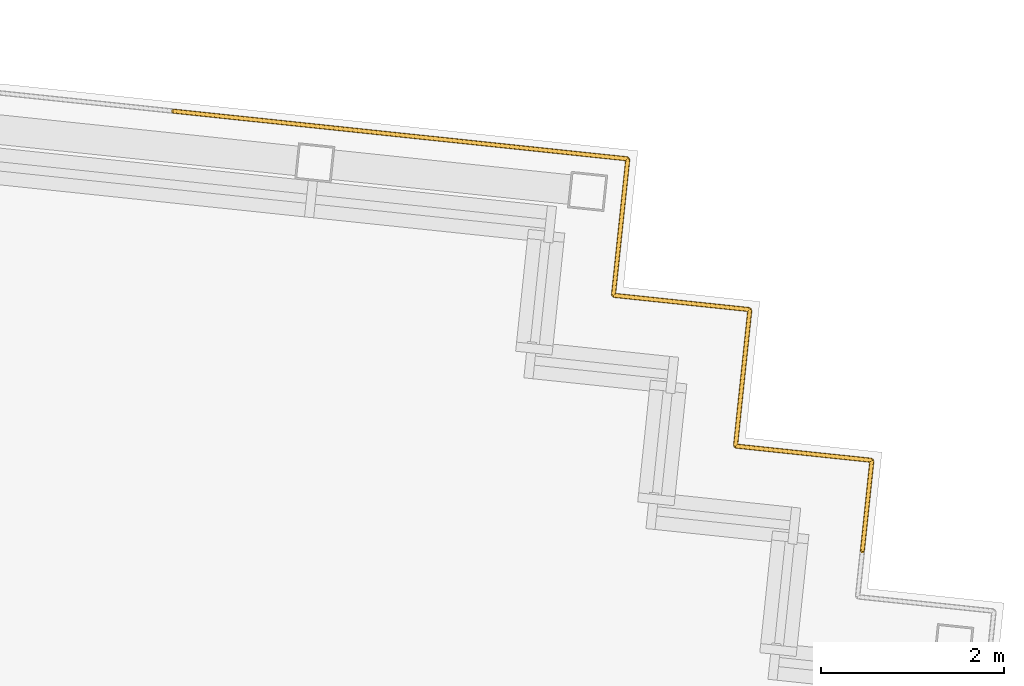
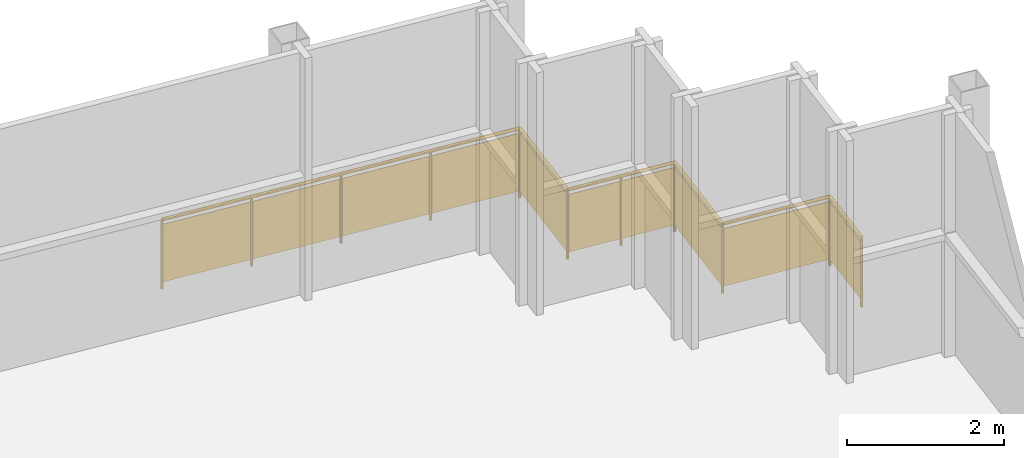
# One storey, part 13 of 13: 1 railing.
"""IFC4 building model written with IfcOpenShell, lengths in metres."""

import ifcopenshell
import ifcopenshell.guid

model = None  # the IFC model being written
_history = None  # IfcOwnerHistory: only IFC2X3 demands one
_inside = {}  # id of a spatial element -> (the spatial element, [elements in it])
_under = {}  # id of a project, library or spatial element -> (it, [spatial elements below it])
_declared = {}  # id of a project -> (the project, [libraries it declares])
_typed = {}  # id of a type object -> (the type object, [elements of that type])
_made_of = {}  # id of a material, layer set ... -> (it, [elements and type objects made of it])


def new_model(schema):
    """Start an empty IFC model of exactly this schema.

    Asked for "IFC4X3", IfcOpenShell would pick the latest addendum, in which some entities
    have other attributes; the version numbers below select the first issue.
    IFC2X3 requires an IfcOwnerHistory on every rooted entity: one is made here for all.
    """
    global model, _history
    if schema == "IFC4X3":
        model = ifcopenshell.file(schema_version=(4, 3, 0, 0))
    else:
        model = ifcopenshell.file(schema=schema)
    _inside.clear()
    _under.clear()
    _declared.clear()
    _typed.clear()
    _made_of.clear()
    _history = None
    if model.schema == "IFC2X3":
        org = make("IfcOrganization", Name="unknown")
        user = make(
            "IfcPersonAndOrganization",
            ThePerson=make("IfcPerson", FamilyName="unknown"),
            TheOrganization=org,
        )
        app = make(
            "IfcApplication",
            ApplicationDeveloper=org,
            Version="unknown",
            ApplicationFullName="unknown",
            ApplicationIdentifier="unknown",
        )
        _history = make(
            "IfcOwnerHistory",
            OwningUser=user,
            OwningApplication=app,
            ChangeAction="ADDED",
            CreationDate=0,
        )
    return model


def make(cls, **values):
    """One entity of the class cls with the attributes given. An attribute that is None is left unset."""
    return model.create_entity(
        cls, **{name: value for name, value in values.items() if value is not None}
    )


def rooted(cls, **values):
    """An entity with a GlobalId (a new one), such as an element, a storey or a relation."""
    return make(cls, GlobalId=ifcopenshell.guid.new(), OwnerHistory=_history, **values)


def si_unit(unit_type, name, prefix=None):
    """IfcSIUnit, for example si_unit("LENGTHUNIT", "METRE", prefix="MILLI")."""
    return make("IfcSIUnit", UnitType=unit_type, Prefix=prefix, Name=name)


def assignment(units):
    """IfcUnitAssignment: the units of a project."""
    return None if units is None else make("IfcUnitAssignment", Units=units)


def point(xyz):
    """IfcCartesianPoint."""
    return None if xyz is None else make("IfcCartesianPoint", Coordinates=xyz)


def direction(xyz):
    """IfcDirection."""
    return None if xyz is None else make("IfcDirection", DirectionRatios=xyz)


def frame(location, z_axis=None, x_axis=None):
    """IfcAxis2Placement3D, a coordinate frame: its origin and axes. An axis left out is left unset."""
    return make(
        "IfcAxis2Placement3D",
        Location=point(location),
        Axis=direction(z_axis),
        RefDirection=direction(x_axis),
    )


def frame_2d(location, x_axis=None):
    """IfcAxis2Placement2D, a coordinate frame in the plane: its origin and x axis."""
    return make(
        "IfcAxis2Placement2D", Location=point(location), RefDirection=direction(x_axis)
    )


def origin():
    """The frame at (0, 0, 0) with its axes left unset."""
    return frame((0.0, 0.0, 0.0))


def origin_2d():
    """The frame at (0, 0) in the plane with its x axis left unset."""
    return frame_2d((0.0, 0.0))


def place(relative_to, where):
    """IfcLocalPlacement: puts the frame where relative to a parent placement (None: the world)."""
    return make(
        "IfcLocalPlacement", PlacementRelTo=relative_to, RelativePlacement=where
    )


def context(
    kind, dimensions, precision=None, world=None, true_north=None, identifier=None
):
    """IfcGeometricRepresentationContext, for example the 3D "Model" context."""
    return make(
        "IfcGeometricRepresentationContext",
        ContextIdentifier=identifier,
        ContextType=kind,
        CoordinateSpaceDimension=dimensions,
        Precision=precision,
        WorldCoordinateSystem=world,
        TrueNorth=true_north,
    )


def subcontext(parent, identifier, kind, view, scale=None):
    """IfcGeometricRepresentationSubContext, for example "Body" below "Model"."""
    return make(
        "IfcGeometricRepresentationSubContext",
        ContextIdentifier=identifier,
        ContextType=kind,
        ParentContext=parent,
        TargetScale=scale,
        TargetView=view,
    )


def project(units=None, contexts=None):
    """IfcProject with its units and contexts."""
    return rooted(
        "IfcProject",
        Name="project",
        RepresentationContexts=contexts,
        UnitsInContext=assignment(units),
    )


def spatial(cls, under=None, at=None, **own):
    """A site, building, storey or space (cls), placed at a placement, below another one or the project."""
    s = rooted(cls, ObjectPlacement=at, **own)
    if under is not None:
        _under.setdefault(under.id(), (under, []))[1].append(s)
    return s


def profile(cls, at=None, kind="AREA", **sizes):
    """A parametric profile (cls). Its sizes go by their IFC names, for example OverallWidth=200.0."""
    return make(cls, ProfileType=kind, Position=at, **sizes)


def rectangle(**sizes):
    """IfcRectangleProfileDef."""
    return profile("IfcRectangleProfileDef", **sizes)


def circle(**sizes):
    """IfcCircleProfileDef."""
    return profile("IfcCircleProfileDef", **sizes)


def extrude(swept, where, along, depth):
    """IfcExtrudedAreaSolid: the profile swept, set in the frame where, extruded along a direction by depth."""
    return make(
        "IfcExtrudedAreaSolid",
        SweptArea=swept,
        Position=where,
        ExtrudedDirection=direction(along),
        Depth=depth,
    )


def shape(context_of_items, identifier, shape_type, items):
    """IfcShapeRepresentation: the items that make up one representation, for example the "Body"."""
    return make(
        "IfcShapeRepresentation",
        ContextOfItems=context_of_items,
        RepresentationIdentifier=identifier,
        RepresentationType=shape_type,
        Items=items,
    )


def material(Name=None, Category=None):
    """IfcMaterial."""
    return make("IfcMaterial", Name=Name, Category=Category)


def made_of(thing, what):
    """Note that an element or type object is made of a material, layer set ...; save() writes the relation."""
    if what is not None:
        _made_of.setdefault(what.id(), (what, []))[1].append(thing)
    return thing


def type_object(cls, material=None, **own):
    """A type object (cls), such as IfcWallType, which elements share."""
    return made_of(rooted(cls, **own), material)


def element(
    cls,
    number,
    at=None,
    inside=None,
    cuts=None,
    type_object=None,
    material=None,
    context=None,
    identifier="Body",
    shape_type=None,
    held_by="IfcProductDefinitionShape",
    body=None,
    shapes=None,
    **own,
):
    """One element of the class cls, such as IfcWall. Its Tag is "e" and its number.

    at: its placement. inside: the storey or other place that contains it. cuts: it is an
    opening in that element (IfcRelVoidsElement). A single representation is given by context,
    identifier, shape_type and body (its items); several are given by shapes. held_by: the class
    of the entity that holds the representations. save() writes the other relations.
    """
    e = rooted(cls, Tag="e%d" % number, ObjectPlacement=at, **own)
    if body is not None:
        shapes = [shape(context, identifier, shape_type, body)]
    if shapes is not None:
        e.Representation = make(held_by, Representations=shapes)
    if inside is not None:
        _inside.setdefault(inside.id(), (inside, []))[1].append(e)
    if cuts is not None:
        rooted(
            "IfcRelVoidsElement", RelatingBuildingElement=cuts, RelatedOpeningElement=e
        )
    if type_object is not None:
        _typed.setdefault(type_object.id(), (type_object, []))[1].append(e)
    return made_of(e, material)


def aggregate(whole, parts):
    """IfcRelAggregates: a whole, such as a stair, and the parts it consists of."""
    return rooted("IfcRelAggregates", RelatingObject=whole, RelatedObjects=parts)


def save(model, path):
    """Write the relations noted so far, then the file.

    IfcRelAggregates (storeys below a building ...), IfcRelContainedInSpatialStructure (elements
    in a storey), IfcRelDefinesByType, IfcRelAssociatesMaterial and IfcRelDeclares: one each for
    every whole, place, type object, material and project.
    """
    for whole, parts in _under.values():
        aggregate(whole, parts)
    for where, things in _inside.values():
        rooted(
            "IfcRelContainedInSpatialStructure",
            RelatedElements=things,
            RelatingStructure=where,
        )
    for kind, things in _typed.values():
        rooted("IfcRelDefinesByType", RelatedObjects=things, RelatingType=kind)
    for what, things in _made_of.values():
        rooted("IfcRelAssociatesMaterial", RelatedObjects=things, RelatingMaterial=what)
    for by, libraries in _declared.values():
        rooted("IfcRelDeclares", RelatingContext=by, RelatedDefinitions=libraries)
    model.write(path)


model = new_model("IFC4")

# Units and contexts
model_context = context("Model", 3, precision=1e-05, world=origin(), true_north=direction((0.0, 1.0)))
body_context = subcontext(model_context, "Body", "Model", "MODEL_VIEW")
ifc_project = project(units=[si_unit("LENGTHUNIT", "METRE"), si_unit("AREAUNIT", "SQUARE_METRE"), si_unit("VOLUMEUNIT", "CUBIC_METRE"), si_unit("PLANEANGLEUNIT", "RADIAN"), si_unit("MASSUNIT", "GRAM", prefix="KILO")], contexts=[model_context])

# Site, building, storey
site_placement = place(None, origin())
site = spatial("IfcSite", under=ifc_project, at=site_placement, CompositionType="ELEMENT")
building_placement = place(site_placement, origin())
building = spatial("IfcBuilding", under=site, at=building_placement, Name="Vidyagriha Tower", CompositionType="ELEMENT")
storey_placement = place(building_placement, frame((0.0, 0.0, 309.199951171875)))
storey = spatial("IfcBuildingStorey", under=building, at=storey_placement, Name="L79", CompositionType="ELEMENT", Elevation=309.199951171875)

# Railing
ifc_material = material(Name="Steel ASTM A500 Grade C black painted", Category="steel")
railing_type = type_object("IfcRailingType", Name="Gallery guard 1100", PredefinedType="GUARDRAIL", material=ifc_material)
railing_placement = place(storey_placement, frame((24.288818359375, 19.227294921875, 0.0)))
element("IfcRailing", 1, at=railing_placement, inside=storey, type_object=railing_type, Name="Gallery guard L79 13", PredefinedType="GUARDRAIL", context=body_context, shape_type="SweptSolid", body=[
    extrude(circle(Radius=0.02490234375, at=origin_2d()), frame((0.0, 0.0, 1.0751953125), z_axis=(0.994520692635, -0.104539905878, 0.0), x_axis=(0.104539905878, 0.994520692635, 0.0)), (0.0, 0.0, 1.0), 5.0),
    extrude(circle(Radius=0.02490234375, at=origin_2d()), frame((4.97265625, -0.522705078125, 1.0751953125), z_axis=(-0.104659366031, -0.994508128223, 0.0), x_axis=(0.994508128223, -0.104659366031, 0.0)), (0.0, 0.0, 1.0), 1.5),
    extrude(circle(Radius=0.02490234375, at=origin_2d()), frame((4.815673828125, -2.014404296875, 1.0751953125), z_axis=(0.994509910675, -0.104642427191, 0.0), x_axis=(0.104642427191, 0.994509910675, 0.0)), (0.0, 0.0, 1.0), 1.500244140625),
    extrude(circle(Radius=0.02490234375, at=origin_2d()), frame((6.3076171875, -2.17138671875, 1.0751953125), z_axis=(-0.104498377516, -0.994525057048, 0.0), x_axis=(0.994525057048, -0.104498377516, 0.0)), (0.0, 0.0, 1.0), 1.5),
    extrude(circle(Radius=0.02490234375, at=origin_2d()), frame((6.15087890625, -3.6630859375, 1.0751953125), z_axis=(0.994525057048, -0.104498377516, 0.0), x_axis=(0.104498377516, 0.994525057048, 0.0)), (0.0, 0.0, 1.0), 1.5),
    extrude(circle(Radius=0.02490234375, at=origin_2d()), frame((7.642578125, -3.81982421875, 1.0751953125), z_axis=(-0.104481464157, -0.994526834051, 0.0), x_axis=(0.994526834051, -0.104481464157, 0.0)), (0.0, 0.0, 1.0), 1.0),
    extrude(circle(Radius=0.02001953125, at=origin_2d()), origin(), (0.0, 0.0, 1.0), 1.050048828125),
    extrude(circle(Radius=0.02001953125, at=origin_2d()), frame((1.2431640625, -0.130615234375, 0.0)), (0.0, 0.0, 1.0), 1.050048828125),
    extrude(circle(Radius=0.02001953125, at=origin_2d()), frame((2.486328125, -0.26123046875, 0.0)), (0.0, 0.0, 1.0), 1.050048828125),
    extrude(circle(Radius=0.02001953125, at=origin_2d()), frame((3.7294921875, -0.39208984375, 0.0)), (0.0, 0.0, 1.0), 1.050048828125),
    extrude(circle(Radius=0.02001953125, at=origin_2d()), frame((4.97265625, -0.522705078125, 0.0)), (0.0, 0.0, 1.0), 1.050048828125),
    extrude(circle(Radius=0.02001953125, at=origin_2d()), frame((4.815673828125, -2.014404296875, 0.0)), (0.0, 0.0, 1.0), 1.050048828125),
    extrude(circle(Radius=0.02001953125, at=origin_2d()), frame((5.5615234375, -2.0927734375, 0.0)), (0.0, 0.0, 1.0), 1.050048828125),
    extrude(circle(Radius=0.02001953125, at=origin_2d()), frame((6.3076171875, -2.17138671875, 0.0)), (0.0, 0.0, 1.0), 1.050048828125),
    extrude(circle(Radius=0.02001953125, at=origin_2d()), frame((6.15087890625, -3.6630859375, 0.0)), (0.0, 0.0, 1.0), 1.050048828125),
    extrude(circle(Radius=0.02001953125, at=origin_2d()), frame((7.642578125, -3.81982421875, 0.0)), (0.0, 0.0, 1.0), 1.050048828125),
    extrude(circle(Radius=0.02001953125, at=origin_2d()), frame((7.5380859375, -4.814453125, 0.0)), (0.0, 0.0, 1.0), 1.050048828125),
    extrude(rectangle(XDim=0.010009765625, YDim=0.900146484375, at=origin_2d()), frame((0.0, 0.0, 0.550048828125), z_axis=(0.994520692635, -0.104539905878, 0.0), x_axis=(0.104539905878, 0.994520692635, 0.0)), (0.0, 0.0, 1.0), 5.0),
    extrude(rectangle(XDim=0.010009765625, YDim=0.900146484375, at=origin_2d()), frame((4.97265625, -0.522705078125, 0.550048828125), z_axis=(-0.104659366031, -0.994508128223, 0.0), x_axis=(0.994508128223, -0.104659366031, 0.0)), (0.0, 0.0, 1.0), 1.5),
    extrude(rectangle(XDim=0.010009765625, YDim=0.900146484375, at=origin_2d()), frame((4.815673828125, -2.014404296875, 0.550048828125), z_axis=(0.994509910675, -0.104642427191, 0.0), x_axis=(0.104642427191, 0.994509910675, 0.0)), (0.0, 0.0, 1.0), 1.500244140625),
    extrude(rectangle(XDim=0.010009765625, YDim=0.900146484375, at=origin_2d()), frame((6.3076171875, -2.17138671875, 0.550048828125), z_axis=(-0.104498377516, -0.994525057048, 0.0), x_axis=(0.994525057048, -0.104498377516, 0.0)), (0.0, 0.0, 1.0), 1.5),
    extrude(rectangle(XDim=0.010009765625, YDim=0.900146484375, at=origin_2d()), frame((6.15087890625, -3.6630859375, 0.550048828125), z_axis=(0.994525057048, -0.104498377516, 0.0), x_axis=(0.104498377516, 0.994525057048, 0.0)), (0.0, 0.0, 1.0), 1.5),
    extrude(rectangle(XDim=0.010009765625, YDim=0.900146484375, at=origin_2d()), frame((7.642578125, -3.81982421875, 0.550048828125), z_axis=(-0.104481464157, -0.994526834051, 0.0), x_axis=(0.994526834051, -0.104481464157, 0.0)), (0.0, 0.0, 1.0), 1.0),
])

save(model, "model.ifc")
